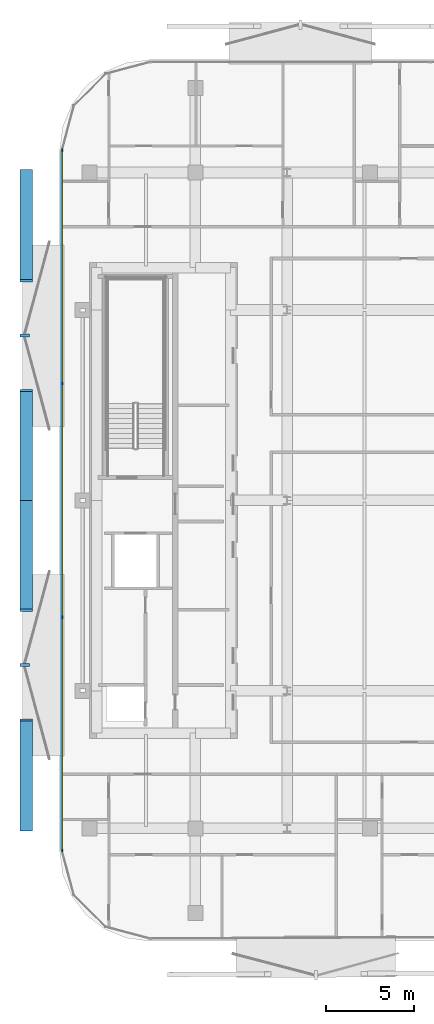
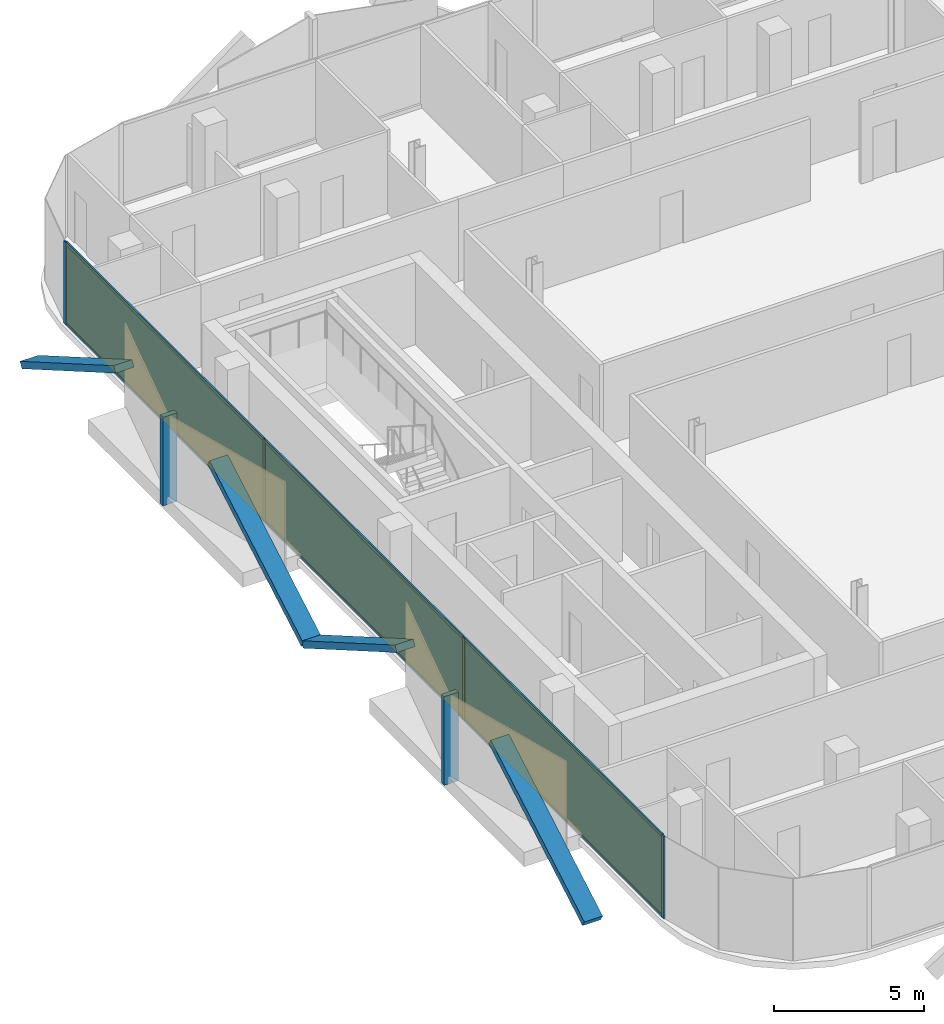
# One storey, part 9 of 15: 16 members, 3 plates, 1 curtain wall.
"""IFC4 building model written with IfcOpenShell, lengths in metres."""

from ifc_helpers import new_model, si_unit, direction, frame, frame_2d, origin, origin_2d, place, context, subcontext, project, spatial, rectangle, extrude, material, layer, layer_set, material_profile, profile_set, type_object, element, aggregate, save


model = new_model("IFC4")

# Units and contexts
model_context = context("Model", 3, precision=1e-05, world=origin(), true_north=direction((0.0, 1.0)))
body_context = subcontext(model_context, "Body", "Model", "MODEL_VIEW")
ifc_project = project(units=[si_unit("LENGTHUNIT", "METRE"), si_unit("AREAUNIT", "SQUARE_METRE"), si_unit("VOLUMEUNIT", "CUBIC_METRE"), si_unit("PLANEANGLEUNIT", "RADIAN"), si_unit("MASSUNIT", "GRAM", prefix="KILO")], contexts=[model_context])

# Member
ifc_material_1 = material(Name="Anodised Bronze Aluminium 6063-T6", Category="aluminium")
ifc_material_profile_1 = material_profile(ifc_material_1, rectangle(XDim=0.260009765625, YDim=0.699951171875, at=origin_2d()))
ifc_profile_set_1 = profile_set([ifc_material_profile_1], Name="Anodised Bronze Aluminium 6063-T6")
member_type_1 = type_object("IfcMemberType", Name="Bronze Diamond Solar-Screen Lattice Rib BDL-700", PredefinedType="MULLION", material=ifc_profile_set_1)
site_placement = place(None, origin())
building_placement = place(site_placement, origin())
storey_placement = place(building_placement, frame((0.0, 0.0, 254.800048828125)))
member_1_placement = place(storey_placement, frame((-24.0, -18.69091796875, -0.130126953125), z_axis=(0.0, 0.865848743011, 0.500305860676), x_axis=(0.0, -0.500305860676, 0.865848743011)))
member_1 = element("IfcMember", 1, at=member_1_placement, type_object=member_type_1, Name="L60 Bronze Diamond Solar Screen Lattice Rib 411A", PredefinedType="MULLION", context=body_context, shape_type="SweptSolid", body=[
    extrude(rectangle(XDim=0.260009765625, YDim=0.699951171875, at=origin_2d()), origin(), (0.0, 0.0, 1.0), 7.19580078125),
])

member_2_placement = place(storey_placement, frame((-24.0, 0.0, -0.130126953125), z_axis=(0.0, -0.865840250196, 0.500320558383), x_axis=(0.0, 0.500320558383, 0.865840250196)))
member_2 = element("IfcMember", 2, at=member_2_placement, type_object=member_type_1, Name="L60 Bronze Diamond Solar Screen Lattice Rib 411B", PredefinedType="MULLION", context=body_context, shape_type="SweptSolid", body=[
    extrude(rectangle(XDim=0.260009765625, YDim=0.699951171875, at=origin_2d()), origin(), (0.0, 0.0, 1.0), 7.195556640625),
])

member_3_placement = place(storey_placement, frame((-24.0, 0.0, -0.130126953125), z_axis=(0.0, 0.865840250196, 0.500320558383), x_axis=(0.0, -0.500320558383, 0.865840250196)))
member_3 = element("IfcMember", 3, at=member_3_placement, type_object=member_type_1, Name="L60 Bronze Diamond Solar Screen Lattice Rib 412A", PredefinedType="MULLION", context=body_context, shape_type="SweptSolid", body=[
    extrude(rectangle(XDim=0.260009765625, YDim=0.699951171875, at=origin_2d()), origin(), (0.0, 0.0, 1.0), 7.195556640625),
])

member_4_placement = place(storey_placement, frame((-24.0, 18.69091796875, -0.130126953125), z_axis=(0.0, -0.865848743011, 0.500305860676), x_axis=(0.0, 0.500305860676, 0.865848743011)))
member_4 = element("IfcMember", 4, at=member_4_placement, type_object=member_type_1, Name="L60 Bronze Diamond Solar Screen Lattice Rib 412B", PredefinedType="MULLION", context=body_context, shape_type="SweptSolid", body=[
    extrude(rectangle(XDim=0.260009765625, YDim=0.699951171875, at=origin_2d()), origin(), (0.0, 0.0, 1.0), 7.19580078125),
])

ifc_material_2 = material(Name="Anodised Bronze Aluminium 6063-T6", Category="aluminium")
ifc_material_profile_2 = material_profile(ifc_material_2, rectangle(XDim=0.179931640625, YDim=0.5400390625, at=origin_2d()))
ifc_profile_set_2 = profile_set([ifc_material_profile_2], Name="Anodised Bronze Aluminium 6063-T6")
member_type_2 = type_object("IfcMemberType", Name="Bronze Solar-Screen Vertical Fold Fin BSF-540", PredefinedType="MULLION", material=ifc_profile_set_2)
member_5_placement = place(storey_placement, frame((-24.080078125, -9.345458984375, -0.130126953125), z_axis=(0.0, 0.0, 1.0), x_axis=(0.0, 1.0, 0.0)))
member_5 = element("IfcMember", 5, at=member_5_placement, type_object=member_type_2, Name="L60 Bronze Solar Screen Vertical Fin 411", PredefinedType="MULLION", context=body_context, shape_type="SweptSolid", body=[
    extrude(rectangle(XDim=0.179931640625, YDim=0.5400390625, at=origin_2d()), origin(), (0.0, 0.0, 1.0), 3.60009765625),
])

member_6_placement = place(storey_placement, frame((-24.080078125, 9.345458984375, -0.130126953125), z_axis=(0.0, 0.0, 1.0), x_axis=(0.0, 1.0, 0.0)))
member_6 = element("IfcMember", 6, at=member_6_placement, type_object=member_type_2, Name="L60 Bronze Solar Screen Vertical Fin 412", PredefinedType="MULLION", context=body_context, shape_type="SweptSolid", body=[
    extrude(rectangle(XDim=0.179931640625, YDim=0.5400390625, at=origin_2d()), origin(), (0.0, 0.0, 1.0), 3.60009765625),
])

ifc_material_3 = material(Name="Anodised Bronze Aluminium 6063-T6", Category="aluminium")
ifc_material_profile_3 = material_profile(ifc_material_3, rectangle(XDim=0.06005859375, YDim=0.159912109375, at=origin_2d()))
ifc_profile_set_3 = profile_set([ifc_material_profile_3], Name="Anodised Bronze Aluminium 6063-T6")
member_type_3 = type_object("IfcMemberType", Name="CW-Z4 Mullion 60x160", PredefinedType="MULLION", material=ifc_profile_set_3)
member_7_placement = place(storey_placement, frame((-21.9599609375, -19.86083984375, 0.0), z_axis=(0.0, 0.0, 1.0), x_axis=(-1.0, 0.0, 0.0)))
member_7 = element("IfcMember", 7, at=member_7_placement, type_object=member_type_3, Name="CW-Z4 mullion 1", PredefinedType="MULLION", context=body_context, shape_type="SweptSolid", body=[
    extrude(rectangle(XDim=0.06005859375, YDim=0.159912109375, at=origin_2d()), origin(), (0.0, 0.0, 1.0), 3.33984375),
])

member_8_placement = place(storey_placement, frame((-21.9599609375, -6.63037109375, 0.0), z_axis=(0.0, 0.0, 1.0), x_axis=(-1.0, 0.0, 0.0)))
member_8 = element("IfcMember", 8, at=member_8_placement, type_object=member_type_3, Name="CW-Z4 mullion 2", PredefinedType="MULLION", context=body_context, shape_type="SweptSolid", body=[
    extrude(rectangle(XDim=0.06005859375, YDim=0.159912109375, at=origin_2d()), origin(), (0.0, 0.0, 1.0), 3.33984375),
])

member_9_placement = place(storey_placement, frame((-21.9599609375, 6.63037109375, 0.0), z_axis=(0.0, 0.0, 1.0), x_axis=(-1.0, 0.0, 0.0)))
member_9 = element("IfcMember", 9, at=member_9_placement, type_object=member_type_3, Name="CW-Z4 mullion 3", PredefinedType="MULLION", context=body_context, shape_type="SweptSolid", body=[
    extrude(rectangle(XDim=0.06005859375, YDim=0.159912109375, at=origin_2d()), origin(), (0.0, 0.0, 1.0), 3.33984375),
])

member_10_placement = place(storey_placement, frame((-21.9599609375, 19.86083984375, 0.0), z_axis=(0.0, 0.0, 1.0), x_axis=(-1.0, 0.0, 0.0)))
member_10 = element("IfcMember", 10, at=member_10_placement, type_object=member_type_3, Name="CW-Z4 mullion 4", PredefinedType="MULLION", context=body_context, shape_type="SweptSolid", body=[
    extrude(rectangle(XDim=0.06005859375, YDim=0.159912109375, at=origin_2d()), origin(), (0.0, 0.0, 1.0), 3.33984375),
])

ifc_material_4 = material(Name="Anodised Bronze Aluminium 6063-T6", Category="aluminium")
ifc_material_profile_4 = material_profile(ifc_material_4, rectangle(XDim=0.06005859375, YDim=0.125, at=origin_2d()))
ifc_profile_set_4 = profile_set([ifc_material_profile_4], Name="Anodised Bronze Aluminium 6063-T6")
member_type_4 = type_object("IfcMemberType", Name="CW-Z4 Transom 60x125", PredefinedType="USERDEFINED", material=ifc_profile_set_4)
member_11_placement = place(storey_placement, frame((-21.9599609375, -19.830810546875, 0.030029296875), z_axis=(0.0, 1.0, 0.0), x_axis=(-1.0, 0.0, 0.0)))
member_11 = element("IfcMember", 11, at=member_11_placement, type_object=member_type_4, Name="CW-Z4 transom 1.1", ObjectType="TRANSOM", PredefinedType="USERDEFINED", context=body_context, shape_type="SweptSolid", body=[
    extrude(rectangle(XDim=0.06005859375, YDim=0.125, at=origin_2d()), origin(), (0.0, 0.0, 1.0), 13.170654296875),
])

member_12_placement = place(storey_placement, frame((-21.9599609375, -19.830810546875, 3.31005859375), z_axis=(0.0, 1.0, 0.0), x_axis=(-1.0, 0.0, 0.0)))
member_12 = element("IfcMember", 12, at=member_12_placement, type_object=member_type_4, Name="CW-Z4 transom 1.2", ObjectType="TRANSOM", PredefinedType="USERDEFINED", context=body_context, shape_type="SweptSolid", body=[
    extrude(rectangle(XDim=0.06005859375, YDim=0.125, at=origin_2d()), origin(), (0.0, 0.0, 1.0), 13.170654296875),
])

member_13_placement = place(storey_placement, frame((-21.9599609375, -6.600341796875, 0.030029296875), z_axis=(0.0, 1.0, 0.0), x_axis=(-1.0, 0.0, 0.0)))
member_13 = element("IfcMember", 13, at=member_13_placement, type_object=member_type_4, Name="CW-Z4 transom 2.1", ObjectType="TRANSOM", PredefinedType="USERDEFINED", context=body_context, shape_type="SweptSolid", body=[
    extrude(rectangle(XDim=0.06005859375, YDim=0.125, at=origin_2d()), origin(), (0.0, 0.0, 1.0), 13.20068359375),
])

member_14_placement = place(storey_placement, frame((-21.9599609375, -6.600341796875, 3.31005859375), z_axis=(0.0, 1.0, 0.0), x_axis=(-1.0, 0.0, 0.0)))
member_14 = element("IfcMember", 14, at=member_14_placement, type_object=member_type_4, Name="CW-Z4 transom 2.2", ObjectType="TRANSOM", PredefinedType="USERDEFINED", context=body_context, shape_type="SweptSolid", body=[
    extrude(rectangle(XDim=0.06005859375, YDim=0.125, at=origin_2d()), origin(), (0.0, 0.0, 1.0), 13.20068359375),
])

member_15_placement = place(storey_placement, frame((-21.9599609375, 6.66015625, 0.030029296875), z_axis=(0.0, 1.0, 0.0), x_axis=(-1.0, 0.0, 0.0)))
member_15 = element("IfcMember", 15, at=member_15_placement, type_object=member_type_4, Name="CW-Z4 transom 3.1", ObjectType="TRANSOM", PredefinedType="USERDEFINED", context=body_context, shape_type="SweptSolid", body=[
    extrude(rectangle(XDim=0.06005859375, YDim=0.125, at=origin_2d()), origin(), (0.0, 0.0, 1.0), 13.170654296875),
])

member_16_placement = place(storey_placement, frame((-21.9599609375, 6.66015625, 3.31005859375), z_axis=(0.0, 1.0, 0.0), x_axis=(-1.0, 0.0, 0.0)))
member_16 = element("IfcMember", 16, at=member_16_placement, type_object=member_type_4, Name="CW-Z4 transom 3.2", ObjectType="TRANSOM", PredefinedType="USERDEFINED", context=body_context, shape_type="SweptSolid", body=[
    extrude(rectangle(XDim=0.06005859375, YDim=0.125, at=origin_2d()), origin(), (0.0, 0.0, 1.0), 13.170654296875),
])

# Plate
ifc_material_5 = material(Name="Low-E Solar Control Laminated Glass", Category="glass")
ifc_layer_1 = layer(ifc_material_5, 0.030029296875, Name="Low-E Solar Control Laminated Glass")
ifc_layer_set_1 = layer_set([ifc_layer_1], Name="Low-E Solar Control Laminated Glass")
plate_type = type_object("IfcPlateType", Name="CW-Z4 Low-E Double Glazed Panel 30mm", PredefinedType="CURTAIN_PANEL", material=ifc_layer_set_1)
plate_1_placement = place(storey_placement, frame((-21.9599609375, -13.24560546875, 0.06005859375), z_axis=(0.0, 0.0, 1.0), x_axis=(0.0, 1.0, 0.0)))
plate_1 = element("IfcPlate", 17, at=plate_1_placement, type_object=plate_type, Name="CW-Z4 panel 1.1", PredefinedType="CURTAIN_PANEL", context=body_context, shape_type="SweptSolid", body=[
    extrude(rectangle(XDim=13.170654296875, YDim=0.030029296875, at=origin_2d()), origin(), (0.0, 0.0, 1.0), 3.219970703125),
])

plate_2_placement = place(storey_placement, frame((-21.9599609375, 0.0, 0.06005859375), z_axis=(0.0, 0.0, 1.0), x_axis=(0.0, 1.0, 0.0)))
plate_2 = element("IfcPlate", 18, at=plate_2_placement, type_object=plate_type, Name="CW-Z4 panel 2.1", PredefinedType="CURTAIN_PANEL", context=body_context, shape_type="SweptSolid", body=[
    extrude(rectangle(XDim=13.200439453125, YDim=0.030029296875, at=origin_2d()), origin(), (0.0, 0.0, 1.0), 3.219970703125),
])

plate_3_placement = place(storey_placement, frame((-21.9599609375, 13.24560546875, 0.06005859375), z_axis=(0.0, 0.0, 1.0), x_axis=(0.0, 1.0, 0.0)))
plate_3 = element("IfcPlate", 19, at=plate_3_placement, type_object=plate_type, Name="CW-Z4 panel 3.1", PredefinedType="CURTAIN_PANEL", context=body_context, shape_type="SweptSolid", body=[
    extrude(rectangle(XDim=13.170654296875, YDim=0.030029296875, at=origin_2d()), origin(), (0.0, 0.0, 1.0), 3.219970703125),
])

# Site, building, storey
site = spatial("IfcSite", under=ifc_project, at=site_placement, CompositionType="ELEMENT")
building = spatial("IfcBuilding", under=site, at=building_placement, Name="Khairoan Windgate Tower", CompositionType="ELEMENT")
storey = spatial("IfcBuildingStorey", under=building, at=storey_placement, Name="L60", CompositionType="ELEMENT", Elevation=254.800048828125)

# Curtain wall
ifc_material_6 = material(Name="Anodised Bronze Aluminium 6063-T6", Category="aluminium")
ifc_layer_2 = layer(ifc_material_6, 0.159912109375, Name="Anodised Bronze Aluminium 6063-T6")
ifc_layer_set_2 = layer_set([ifc_layer_2], Name="Anodised Bronze Aluminium 6063-T6")
curtain_wall_type = type_object("IfcCurtainWallType", Name="Sky Residence Unitised Curtain Wall CW-Z4", PredefinedType="NOTDEFINED", material=ifc_layer_set_2)
curtain_wall_placement = place(storey_placement, frame((-21.9599609375, -19.890869140625, 0.0), z_axis=(0.0, 0.0, 1.0), x_axis=(0.0, 1.0, 0.0)))
curtain_wall = element("IfcCurtainWall", 20, at=curtain_wall_placement, inside=storey, type_object=curtain_wall_type, Name="L60 Unitised Curtain Wall 5", PredefinedType="NOTDEFINED", context=body_context, shape_type="SweptSolid", body=[
    extrude(rectangle(XDim=39.78173828125, YDim=0.010009765625, at=frame_2d((19.890869140625, 0.0))), origin(), (0.0, 0.0, 1.0), 3.33984375),
])

aggregate(curtain_wall, [member_7, member_8, member_9, member_10, member_11, member_12, plate_1, member_13, member_14, plate_2, member_15, member_16, plate_3, member_1, member_2, member_5, member_3, member_4, member_6])

save(model, "model.ifc")
